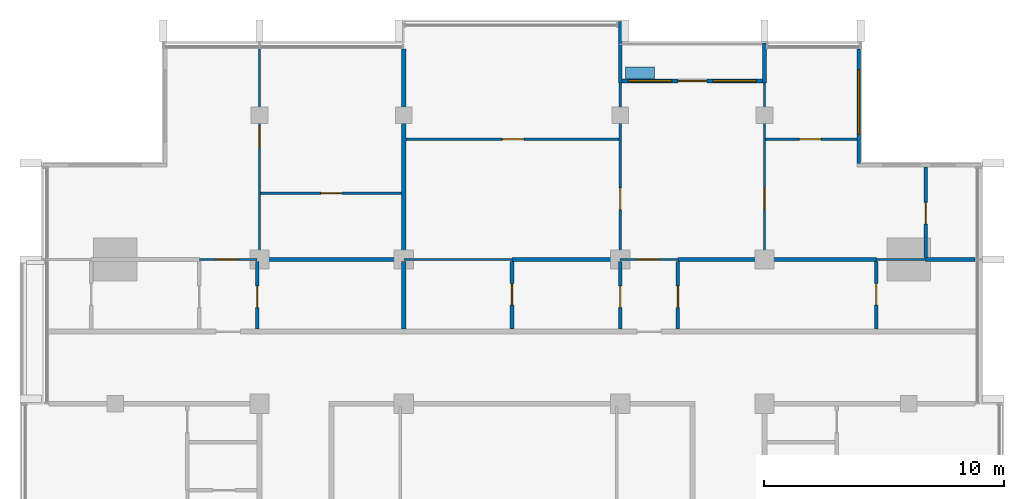
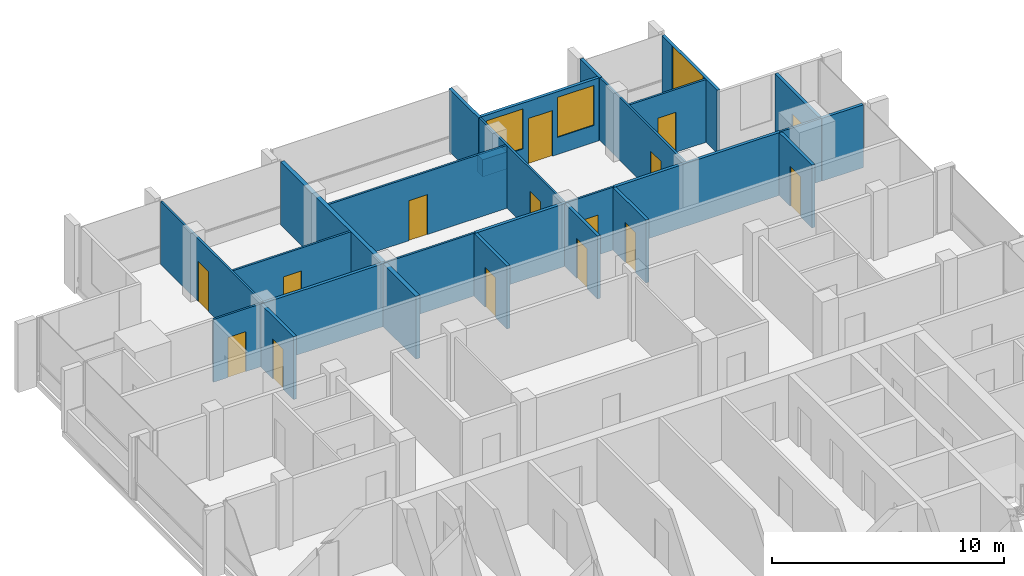
# One storey, part 10 of 16: 27 walls, 15 doors, 3 windows, 18 openings.
"""IFC4 building model written with IfcOpenShell, lengths in metres."""

from ifc_helpers import new_model, si_unit, direction, frame, frame_2d, origin, place, context, subcontext, project, spatial, rectangle, extrude, material, layer, layer_set, type_object, element, fill, save


model = new_model("IFC4")

# Units and contexts
model_context = context("Model", 3, precision=1e-05, world=origin(), true_north=direction((0.0, 1.0)))
body_context = subcontext(model_context, "Body", "Model", "MODEL_VIEW")
ifc_project = project(units=[si_unit("LENGTHUNIT", "METRE"), si_unit("AREAUNIT", "SQUARE_METRE"), si_unit("VOLUMEUNIT", "CUBIC_METRE"), si_unit("PLANEANGLEUNIT", "RADIAN"), si_unit("MASSUNIT", "GRAM", prefix="KILO")], contexts=[model_context])

# Site, building, storey
site_placement = place(None, origin())
site = spatial("IfcSite", under=ifc_project, at=site_placement, CompositionType="ELEMENT")
building_placement = place(site_placement, origin())
building = spatial("IfcBuilding", under=site, at=building_placement, Name="Finial Court Residences", CompositionType="ELEMENT")
storey_placement = place(building_placement, frame((0.0, 0.0, 284.300048828125)))
storey = spatial("IfcBuildingStorey", under=building, at=storey_placement, Name="L72", CompositionType="ELEMENT", Elevation=284.300048828125)

# Walls
ifc_material_1 = material(Name="Gypsum board")
ifc_layer_1 = layer(ifc_material_1, 0.02490234375)
ifc_material_2 = material(Name="Acoustic mineral wool in double frame")
ifc_layer_2 = layer(ifc_material_2, 0.14990234375)
ifc_layer_3 = layer(ifc_material_1, 0.02490234375)
ifc_layer_set_1 = layer_set([ifc_layer_1, ifc_layer_2, ifc_layer_3], Name="Acoustic party wall 200, 1 hour")
wall_type_1 = type_object("IfcWallType", Name="Acoustic party wall 200, 1 hour", PredefinedType="PARTITIONING", material=ifc_layer_set_1)
wall_1_placement = place(storey_placement, frame((-4.5, 4.60009765625, 0.0), z_axis=(0.0, 0.0, 1.0), x_axis=(0.0, 1.0, 0.0)))
element("IfcWall", 1, at=wall_1_placement, inside=storey, type_object=wall_type_1, Name="Partition L72-040", PredefinedType="PARTITIONING", context=body_context, shape_type="SweptSolid", body=[
    extrude(rectangle(XDim=2.824951171875, YDim=0.199951171875, at=frame_2d((1.41259765625, 0.0))), origin(), (0.0, 0.0, 1.0), 3.300048828125),
])
wall_2_placement = place(storey_placement, frame((-4.5, 7.574951171875, 0.0), z_axis=(0.0, 0.0, 1.0), x_axis=(0.0, 1.0, 0.0)))
element("IfcWall", 2, at=wall_2_placement, inside=storey, type_object=wall_type_1, Name="Partition L72-041", PredefinedType="PARTITIONING", context=body_context, shape_type="SweptSolid", body=[
    extrude(rectangle(XDim=8.6875, YDim=0.199951171875, at=frame_2d((4.34375, 0.0))), origin(), (0.0, 0.0, 1.0), 3.300048828125),
])

# Wall, opening, door
ifc_layer_4 = layer(ifc_material_1, 0.012451171875)
ifc_material_3 = material(Name="Mineral wool in light-gauge frame")
ifc_layer_5 = layer(ifc_material_3, 0.074951171875)
ifc_layer_6 = layer(ifc_material_1, 0.012451171875)
ifc_layer_set_2 = layer_set([ifc_layer_4, ifc_layer_5, ifc_layer_6], Name="Gypsum board partition 100")
wall_type_2 = type_object("IfcWallType", Name="Gypsum board partition 100", PredefinedType="PARTITIONING", material=ifc_layer_set_2)
wall_3_placement = place(storey_placement, frame((-13.0, 7.5, 0.0), z_axis=(0.0, 0.0, 1.0), x_axis=(1.0, 0.0, 0.0)))
wall_3 = element("IfcWall", 3, at=wall_3_placement, inside=storey, type_object=wall_type_2, Name="Partition L72-018", PredefinedType="PARTITIONING", context=body_context, shape_type="SweptSolid", body=[
    extrude(rectangle(XDim=2.39990234375, YDim=0.10009765625, at=frame_2d((1.199951171875, 0.0))), origin(), (0.0, 0.0, 1.0), 3.300048828125),
])
opening_1_placement = place(wall_3_placement, frame((0.699951171875, 0.0, 0.0)))
opening_1 = element("IfcOpeningElement", 4, at=opening_1_placement, cuts=wall_3, Name="Opening L72-D018", PredefinedType="OPENING", context=body_context, shape_type="SweptSolid", body=[
    extrude(rectangle(XDim=0.89990234375, YDim=2.10009765625, at=frame_2d((0.449951171875, 1.050048828125))), frame((0.0, 0.06005859375, 0.0), z_axis=(0.0, -1.0, 0.0), x_axis=(1.0, 0.0, 0.0)), (0.0, 0.0, 1.0), 0.1201171875),
])
ifc_material_4 = material(Name="Timber door leaf in timber frame", Category="wood")
door_type_1 = type_object("IfcDoorType", Name="Door set 900 x 2100", OperationType="SINGLE_SWING_LEFT", PredefinedType="DOOR", material=ifc_material_4)
door_1_placement = place(opening_1_placement, origin())
door_1 = element("IfcDoor", 5, at=door_1_placement, inside=storey, type_object=door_type_1, Name="Door L72-D018", OperationType="SINGLE_SWING_RIGHT", OverallHeight=2.10009765625, OverallWidth=0.89990234375, PredefinedType="DOOR", context=body_context, shape_type="SweptSolid", body=[
    extrude(rectangle(XDim=0.89990234375, YDim=2.10009765625, at=frame_2d((0.449951171875, 1.050048828125))), frame((0.0, 0.02490234375, 0.0), z_axis=(0.0, -1.0, 0.0), x_axis=(1.0, 0.0, 0.0)), (0.0, 0.0, 1.0), 0.050048828125),
])
fill(opening_1, door_1)

# Wall
wall_4_placement = place(storey_placement, frame((-4.5, 7.5, 0.0), z_axis=(0.0, 0.0, 1.0), x_axis=(1.0, 0.0, 0.0)))
element("IfcWall", 6, at=wall_4_placement, inside=storey, type_object=wall_type_2, Name="Partition L72-019", PredefinedType="PARTITIONING", context=body_context, shape_type="SweptSolid", body=[
    extrude(rectangle(XDim=4.5, YDim=0.10009765625, at=frame_2d((2.25, 0.0))), origin(), (0.0, 0.0, 1.0), 3.300048828125),
])

# Wall, opening, door
wall_5_placement = place(storey_placement, frame((4.5, 7.5, 0.0), z_axis=(0.0, 0.0, 1.0), x_axis=(1.0, 0.0, 0.0)))
wall_5 = element("IfcWall", 7, at=wall_5_placement, inside=storey, type_object=wall_type_2, Name="Partition L72-020", PredefinedType="PARTITIONING", context=body_context, shape_type="SweptSolid", body=[
    extrude(rectangle(XDim=2.39990234375, YDim=0.10009765625, at=frame_2d((1.199951171875, 0.0))), origin(), (0.0, 0.0, 1.0), 3.300048828125),
])
opening_2_placement = place(wall_5_placement, frame((0.699951171875, 0.0, 0.0)))
opening_2 = element("IfcOpeningElement", 8, at=opening_2_placement, cuts=wall_5, Name="Opening L72-D019", PredefinedType="OPENING", context=body_context, shape_type="SweptSolid", body=[
    extrude(rectangle(XDim=0.89990234375, YDim=2.10009765625, at=frame_2d((0.449951171875, 1.050048828125))), frame((0.0, 0.06005859375, 0.0), z_axis=(0.0, -1.0, 0.0), x_axis=(1.0, 0.0, 0.0)), (0.0, 0.0, 1.0), 0.1201171875),
])
door_2_placement = place(opening_2_placement, origin())
door_2 = element("IfcDoor", 9, at=door_2_placement, inside=storey, type_object=door_type_1, Name="Door L72-D019", OperationType="SINGLE_SWING_RIGHT", OverallHeight=2.10009765625, OverallWidth=0.89990234375, PredefinedType="DOOR", context=body_context, shape_type="SweptSolid", body=[
    extrude(rectangle(XDim=0.89990234375, YDim=2.10009765625, at=frame_2d((0.449951171875, 1.050048828125))), frame((0.0, 0.02490234375, 0.0), z_axis=(0.0, -1.0, 0.0), x_axis=(1.0, 0.0, 0.0)), (0.0, 0.0, 1.0), 0.050048828125),
])
fill(opening_2, door_2)

# Wall
wall_6_placement = place(storey_placement, frame((15.14990234375, 7.5, 0.0), z_axis=(0.0, 0.0, 1.0), x_axis=(1.0, 0.0, 0.0)))
element("IfcWall", 10, at=wall_6_placement, inside=storey, type_object=wall_type_2, Name="Partition L72-021", PredefinedType="PARTITIONING", context=body_context, shape_type="SweptSolid", body=[
    extrude(rectangle(XDim=2.050048828125, YDim=0.10009765625, at=frame_2d((1.02490234375, 0.0))), origin(), (0.0, 0.0, 1.0), 3.300048828125),
])

# Wall, opening, door
wall_7_placement = place(storey_placement, frame((-10.449951171875, 10.25, 0.0), z_axis=(0.0, 0.0, 1.0), x_axis=(1.0, 0.0, 0.0)))
wall_7 = element("IfcWall", 11, at=wall_7_placement, inside=storey, type_object=wall_type_2, Name="Partition L72-027", PredefinedType="PARTITIONING", context=body_context, shape_type="SweptSolid", body=[
    extrude(rectangle(XDim=5.849853515625, YDim=0.10009765625, at=frame_2d((2.9248046875, 0.0))), origin(), (0.0, 0.0, 1.0), 3.300048828125),
])
opening_3_placement = place(wall_7_placement, frame((2.5, 0.0, 0.0)))
opening_3 = element("IfcOpeningElement", 12, at=opening_3_placement, cuts=wall_7, Name="Opening L72-D020", PredefinedType="OPENING", context=body_context, shape_type="SweptSolid", body=[
    extrude(rectangle(XDim=0.89990234375, YDim=2.10009765625, at=frame_2d((0.449951171875, 1.050048828125))), frame((0.0, 0.06005859375, 0.0), z_axis=(0.0, -1.0, 0.0), x_axis=(1.0, 0.0, 0.0)), (0.0, 0.0, 1.0), 0.1201171875),
])
door_3_placement = place(opening_3_placement, origin())
door_3 = element("IfcDoor", 13, at=door_3_placement, inside=storey, type_object=door_type_1, Name="Door L72-D020", OperationType="SINGLE_SWING_RIGHT", OverallHeight=2.10009765625, OverallWidth=0.89990234375, PredefinedType="DOOR", context=body_context, shape_type="SweptSolid", body=[
    extrude(rectangle(XDim=0.89990234375, YDim=2.10009765625, at=frame_2d((0.449951171875, 1.050048828125))), frame((0.0, 0.02490234375, 0.0), z_axis=(0.0, -1.0, 0.0), x_axis=(1.0, 0.0, 0.0)), (0.0, 0.0, 1.0), 0.050048828125),
])
fill(opening_3, door_3)

wall_8_placement = place(storey_placement, frame((-4.39990234375, 12.5, 0.0), z_axis=(0.0, 0.0, 1.0), x_axis=(1.0, 0.0, 0.0)))
wall_8 = element("IfcWall", 14, at=wall_8_placement, inside=storey, type_object=wall_type_2, Name="Partition L72-028", PredefinedType="PARTITIONING", context=body_context, shape_type="SweptSolid", body=[
    extrude(rectangle(XDim=8.849853515625, YDim=0.10009765625, at=frame_2d((4.4248046875, 0.0))), origin(), (0.0, 0.0, 1.0), 3.300048828125),
])
opening_4_placement = place(wall_8_placement, frame((4.0, 0.0, 0.0)))
opening_4 = element("IfcOpeningElement", 15, at=opening_4_placement, cuts=wall_8, Name="Opening L72-D021", PredefinedType="OPENING", context=body_context, shape_type="SweptSolid", body=[
    extrude(rectangle(XDim=0.89990234375, YDim=2.10009765625, at=frame_2d((0.449951171875, 1.050048828125))), frame((0.0, 0.06005859375, 0.0), z_axis=(0.0, -1.0, 0.0), x_axis=(1.0, 0.0, 0.0)), (0.0, 0.0, 1.0), 0.1201171875),
])
door_4_placement = place(opening_4_placement, origin())
door_4 = element("IfcDoor", 16, at=door_4_placement, inside=storey, type_object=door_type_1, Name="Door L72-D021", OperationType="SINGLE_SWING_LEFT", OverallHeight=2.10009765625, OverallWidth=0.89990234375, PredefinedType="DOOR", context=body_context, shape_type="SweptSolid", body=[
    extrude(rectangle(XDim=0.89990234375, YDim=2.10009765625, at=frame_2d((0.449951171875, 1.050048828125))), frame((0.0, 0.02490234375, 0.0), z_axis=(0.0, -1.0, 0.0), x_axis=(1.0, 0.0, 0.0)), (0.0, 0.0, 1.0), 0.050048828125),
])
fill(opening_4, door_4)

wall_9_placement = place(storey_placement, frame((10.550048828125, 12.5, 0.0), z_axis=(0.0, 0.0, 1.0), x_axis=(1.0, 0.0, 0.0)))
wall_9 = element("IfcWall", 17, at=wall_9_placement, inside=storey, type_object=wall_type_2, Name="Partition L72-029", PredefinedType="PARTITIONING", context=body_context, shape_type="SweptSolid", body=[
    extrude(rectangle(XDim=3.800048828125, YDim=0.10009765625, at=frame_2d((1.89990234375, 0.0))), origin(), (0.0, 0.0, 1.0), 3.300048828125),
])
opening_5_placement = place(wall_9_placement, frame((1.39990234375, 0.0, 0.0)))
opening_5 = element("IfcOpeningElement", 18, at=opening_5_placement, cuts=wall_9, Name="Opening L72-D022", PredefinedType="OPENING", context=body_context, shape_type="SweptSolid", body=[
    extrude(rectangle(XDim=0.89990234375, YDim=2.10009765625, at=frame_2d((0.449951171875, 1.050048828125))), frame((0.0, 0.06005859375, 0.0), z_axis=(0.0, -1.0, 0.0), x_axis=(1.0, 0.0, 0.0)), (0.0, 0.0, 1.0), 0.1201171875),
])
door_5_placement = place(opening_5_placement, origin())
door_5 = element("IfcDoor", 19, at=door_5_placement, inside=storey, type_object=door_type_1, Name="Door L72-D022", OperationType="SINGLE_SWING_LEFT", OverallHeight=2.10009765625, OverallWidth=0.89990234375, PredefinedType="DOOR", context=body_context, shape_type="SweptSolid", body=[
    extrude(rectangle(XDim=0.89990234375, YDim=2.10009765625, at=frame_2d((0.449951171875, 1.050048828125))), frame((0.0, 0.02490234375, 0.0), z_axis=(0.0, -1.0, 0.0), x_axis=(1.0, 0.0, 0.0)), (0.0, 0.0, 1.0), 0.050048828125),
])
fill(opening_5, door_5)

wall_10_placement = place(storey_placement, frame((-10.5, 7.574951171875, 0.0), z_axis=(0.0, 0.0, 1.0), x_axis=(0.0, 1.0, 0.0)))
wall_10 = element("IfcWall", 20, at=wall_10_placement, inside=storey, type_object=wall_type_2, Name="Partition L72-037", PredefinedType="PARTITIONING", context=body_context, shape_type="SweptSolid", body=[
    extrude(rectangle(XDim=8.6875, YDim=0.10009765625, at=frame_2d((4.34375, 0.0))), origin(), (0.0, 0.0, 1.0), 3.300048828125),
])
opening_6_placement = place(wall_10_placement, frame((4.574951171875, 0.0, 0.0)))
opening_6 = element("IfcOpeningElement", 21, at=opening_6_placement, cuts=wall_10, Name="Opening L72-D028", PredefinedType="OPENING", context=body_context, shape_type="SweptSolid", body=[
    extrude(rectangle(XDim=0.89990234375, YDim=2.10009765625, at=frame_2d((0.449951171875, 1.050048828125))), frame((0.0, 0.06005859375, 0.0), z_axis=(0.0, -1.0, 0.0), x_axis=(1.0, 0.0, 0.0)), (0.0, 0.0, 1.0), 0.1201171875),
])
door_6_placement = place(opening_6_placement, origin())
door_6 = element("IfcDoor", 22, at=door_6_placement, inside=storey, type_object=door_type_1, Name="Door L72-D028", OperationType="SINGLE_SWING_RIGHT", OverallHeight=2.10009765625, OverallWidth=0.89990234375, PredefinedType="DOOR", context=body_context, shape_type="SweptSolid", body=[
    extrude(rectangle(XDim=0.89990234375, YDim=2.10009765625, at=frame_2d((0.449951171875, 1.050048828125))), frame((0.0, 0.02490234375, 0.0), z_axis=(0.0, -1.0, 0.0), x_axis=(1.0, 0.0, 0.0)), (0.0, 0.0, 1.0), 0.050048828125),
])
fill(opening_6, door_6)

wall_11_placement = place(storey_placement, frame((4.5, 7.574951171875, 0.0), z_axis=(0.0, 0.0, 1.0), x_axis=(0.0, 1.0, 0.0)))
wall_11 = element("IfcWall", 23, at=wall_11_placement, inside=storey, type_object=wall_type_2, Name="Partition L72-044", PredefinedType="PARTITIONING", context=body_context, shape_type="SweptSolid", body=[
    extrude(rectangle(XDim=7.275146484375, YDim=0.10009765625, at=frame_2d((3.6376953125, 0.0))), origin(), (0.0, 0.0, 1.0), 3.300048828125),
])
opening_7_placement = place(wall_11_placement, frame((2.0, 0.0, 0.0)))
opening_7 = element("IfcOpeningElement", 24, at=opening_7_placement, cuts=wall_11, Name="Opening L72-D030", PredefinedType="OPENING", context=body_context, shape_type="SweptSolid", body=[
    extrude(rectangle(XDim=0.89990234375, YDim=2.10009765625, at=frame_2d((0.449951171875, 1.050048828125))), frame((0.0, 0.06005859375, 0.0), z_axis=(0.0, -1.0, 0.0), x_axis=(1.0, 0.0, 0.0)), (0.0, 0.0, 1.0), 0.1201171875),
])
door_7_placement = place(opening_7_placement, origin())
door_7 = element("IfcDoor", 25, at=door_7_placement, inside=storey, type_object=door_type_1, Name="Door L72-D030", OperationType="SINGLE_SWING_RIGHT", OverallHeight=2.10009765625, OverallWidth=0.89990234375, PredefinedType="DOOR", context=body_context, shape_type="SweptSolid", body=[
    extrude(rectangle(XDim=0.89990234375, YDim=2.10009765625, at=frame_2d((0.449951171875, 1.050048828125))), frame((0.0, 0.02490234375, 0.0), z_axis=(0.0, -1.0, 0.0), x_axis=(1.0, 0.0, 0.0)), (0.0, 0.0, 1.0), 0.050048828125),
])
fill(opening_7, door_7)

wall_12_placement = place(storey_placement, frame((10.5, 7.574951171875, 0.0), z_axis=(0.0, 0.0, 1.0), x_axis=(0.0, 1.0, 0.0)))
wall_12 = element("IfcWall", 26, at=wall_12_placement, inside=storey, type_object=wall_type_2, Name="Partition L72-049", PredefinedType="PARTITIONING", context=body_context, shape_type="SweptSolid", body=[
    extrude(rectangle(XDim=7.275146484375, YDim=0.10009765625, at=frame_2d((3.6376953125, 0.0))), origin(), (0.0, 0.0, 1.0), 3.300048828125),
])
opening_8_placement = place(wall_12_placement, frame((2.0, 0.0, 0.0)))
opening_8 = element("IfcOpeningElement", 27, at=opening_8_placement, cuts=wall_12, Name="Opening L72-D033", PredefinedType="OPENING", context=body_context, shape_type="SweptSolid", body=[
    extrude(rectangle(XDim=0.89990234375, YDim=2.10009765625, at=frame_2d((0.449951171875, 1.050048828125))), frame((0.0, 0.06005859375, 0.0), z_axis=(0.0, -1.0, 0.0), x_axis=(1.0, 0.0, 0.0)), (0.0, 0.0, 1.0), 0.1201171875),
])
door_8_placement = place(opening_8_placement, origin())
door_8 = element("IfcDoor", 28, at=door_8_placement, inside=storey, type_object=door_type_1, Name="Door L72-D033", OperationType="SINGLE_SWING_LEFT", OverallHeight=2.10009765625, OverallWidth=0.89990234375, PredefinedType="DOOR", context=body_context, shape_type="SweptSolid", body=[
    extrude(rectangle(XDim=0.89990234375, YDim=2.10009765625, at=frame_2d((0.449951171875, 1.050048828125))), frame((0.0, 0.02490234375, 0.0), z_axis=(0.0, -1.0, 0.0), x_axis=(1.0, 0.0, 0.0)), (0.0, 0.0, 1.0), 0.050048828125),
])
fill(opening_8, door_8)

# Walls
ifc_material_5 = material(Name="Moisture-resistant gypsum board")
ifc_layer_7 = layer(ifc_material_5, 0.012451171875)
ifc_layer_8 = layer(ifc_material_3, 0.125)
ifc_layer_9 = layer(ifc_material_5, 0.012451171875)
ifc_layer_set_3 = layer_set([ifc_layer_7, ifc_layer_8, ifc_layer_9], Name="Gypsum board wet-area partition 150")
wall_type_3 = type_object("IfcWallType", Name="Gypsum board wet-area partition 150", PredefinedType="PARTITIONING", material=ifc_layer_set_3)
wall_13_placement = place(storey_placement, frame((-10.5, 7.5, 0.0), z_axis=(0.0, 0.0, 1.0), x_axis=(1.0, 0.0, 0.0)))
element("IfcWall", 29, at=wall_13_placement, inside=storey, type_object=wall_type_3, Name="Partition L72-023", PredefinedType="PARTITIONING", context=body_context, shape_type="SweptSolid", body=[
    extrude(rectangle(XDim=6.0, YDim=0.14990234375, at=frame_2d((3.0, 0.0))), origin(), (0.0, 0.0, 1.0), 3.300048828125),
])
wall_14_placement = place(storey_placement, frame((0.0, 7.5, 0.0), z_axis=(0.0, 0.0, 1.0), x_axis=(1.0, 0.0, 0.0)))
element("IfcWall", 30, at=wall_14_placement, inside=storey, type_object=wall_type_3, Name="Partition L72-024", PredefinedType="PARTITIONING", context=body_context, shape_type="SweptSolid", body=[
    extrude(rectangle(XDim=4.5, YDim=0.14990234375, at=frame_2d((2.25, 0.0))), origin(), (0.0, 0.0, 1.0), 3.300048828125),
])
wall_15_placement = place(storey_placement, frame((6.89990234375, 7.5, 0.0), z_axis=(0.0, 0.0, 1.0), x_axis=(1.0, 0.0, 0.0)))
element("IfcWall", 31, at=wall_15_placement, inside=storey, type_object=wall_type_3, Name="Partition L72-025", PredefinedType="PARTITIONING", context=body_context, shape_type="SweptSolid", body=[
    extrude(rectangle(XDim=8.25, YDim=0.14990234375, at=frame_2d((4.125, 0.0))), origin(), (0.0, 0.0, 1.0), 3.300048828125),
])
wall_16_placement = place(storey_placement, frame((17.199951171875, 7.5, 0.0), z_axis=(0.0, 0.0, 1.0), x_axis=(1.0, 0.0, 0.0)))
element("IfcWall", 32, at=wall_16_placement, inside=storey, type_object=wall_type_3, Name="Partition L72-026", PredefinedType="PARTITIONING", context=body_context, shape_type="SweptSolid", body=[
    extrude(rectangle(XDim=2.0625, YDim=0.14990234375, at=frame_2d((1.03125, 0.0))), origin(), (0.0, 0.0, 1.0), 3.300048828125),
])

# Wall, opening, door
wall_17_placement = place(storey_placement, frame((-10.60009765625, 4.60009765625, 0.0), z_axis=(0.0, 0.0, 1.0), x_axis=(0.0, 1.0, 0.0)))
wall_17 = element("IfcWall", 33, at=wall_17_placement, inside=storey, type_object=wall_type_3, Name="Partition L72-035", PredefinedType="PARTITIONING", context=body_context, shape_type="SweptSolid", body=[
    extrude(rectangle(XDim=2.824951171875, YDim=0.14990234375, at=frame_2d((1.41259765625, 0.0))), origin(), (0.0, 0.0, 1.0), 3.300048828125),
])
opening_9_placement = place(wall_17_placement, frame((0.89990234375, 0.0, 0.0)))
opening_9 = element("IfcOpeningElement", 34, at=opening_9_placement, cuts=wall_17, Name="Opening L72-D027", PredefinedType="OPENING", context=body_context, shape_type="SweptSolid", body=[
    extrude(rectangle(XDim=0.89990234375, YDim=2.10009765625, at=frame_2d((0.449951171875, 1.050048828125))), frame((0.0, 0.0849609375, 0.0), z_axis=(0.0, -1.0, 0.0), x_axis=(1.0, 0.0, 0.0)), (0.0, 0.0, 1.0), 0.169921875),
])
door_9_placement = place(opening_9_placement, origin())
door_9 = element("IfcDoor", 35, at=door_9_placement, inside=storey, type_object=door_type_1, Name="Door L72-D027", OperationType="SINGLE_SWING_LEFT", OverallHeight=2.10009765625, OverallWidth=0.89990234375, PredefinedType="DOOR", context=body_context, shape_type="SweptSolid", body=[
    extrude(rectangle(XDim=0.89990234375, YDim=2.10009765625, at=frame_2d((0.449951171875, 1.050048828125))), frame((0.0, 0.02490234375, 0.0), z_axis=(0.0, -1.0, 0.0), x_axis=(1.0, 0.0, 0.0)), (0.0, 0.0, 1.0), 0.050048828125),
])
fill(opening_9, door_9)

wall_18_placement = place(storey_placement, frame((0.0, 4.60009765625, 0.0), z_axis=(0.0, 0.0, 1.0), x_axis=(0.0, 1.0, 0.0)))
wall_18 = element("IfcWall", 36, at=wall_18_placement, inside=storey, type_object=wall_type_3, Name="Partition L72-042", PredefinedType="PARTITIONING", context=body_context, shape_type="SweptSolid", body=[
    extrude(rectangle(XDim=2.824951171875, YDim=0.14990234375, at=frame_2d((1.41259765625, 0.0))), origin(), (0.0, 0.0, 1.0), 3.300048828125),
])
opening_10_placement = place(wall_18_placement, frame((1.0, 0.0, 0.0)))
opening_10 = element("IfcOpeningElement", 37, at=opening_10_placement, cuts=wall_18, Name="Opening L72-D029", PredefinedType="OPENING", context=body_context, shape_type="SweptSolid", body=[
    extrude(rectangle(XDim=0.89990234375, YDim=2.10009765625, at=frame_2d((0.449951171875, 1.050048828125))), frame((0.0, 0.0849609375, 0.0), z_axis=(0.0, -1.0, 0.0), x_axis=(1.0, 0.0, 0.0)), (0.0, 0.0, 1.0), 0.169921875),
])
door_10_placement = place(opening_10_placement, origin())
door_10 = element("IfcDoor", 38, at=door_10_placement, inside=storey, type_object=door_type_1, Name="Door L72-D029", OperationType="SINGLE_SWING_LEFT", OverallHeight=2.10009765625, OverallWidth=0.89990234375, PredefinedType="DOOR", context=body_context, shape_type="SweptSolid", body=[
    extrude(rectangle(XDim=0.89990234375, YDim=2.10009765625, at=frame_2d((0.449951171875, 1.050048828125))), frame((0.0, 0.02490234375, 0.0), z_axis=(0.0, -1.0, 0.0), x_axis=(1.0, 0.0, 0.0)), (0.0, 0.0, 1.0), 0.050048828125),
])
fill(opening_10, door_10)

wall_19_placement = place(storey_placement, frame((4.5, 4.60009765625, 0.0), z_axis=(0.0, 0.0, 1.0), x_axis=(0.0, 1.0, 0.0)))
wall_19 = element("IfcWall", 39, at=wall_19_placement, inside=storey, type_object=wall_type_3, Name="Partition L72-045", PredefinedType="PARTITIONING", context=body_context, shape_type="SweptSolid", body=[
    extrude(rectangle(XDim=2.824951171875, YDim=0.14990234375, at=frame_2d((1.41259765625, 0.0))), origin(), (0.0, 0.0, 1.0), 3.300048828125),
])
opening_11_placement = place(wall_19_placement, frame((0.89990234375, 0.0, 0.0)))
opening_11 = element("IfcOpeningElement", 40, at=opening_11_placement, cuts=wall_19, Name="Opening L72-D031", PredefinedType="OPENING", context=body_context, shape_type="SweptSolid", body=[
    extrude(rectangle(XDim=0.89990234375, YDim=2.10009765625, at=frame_2d((0.449951171875, 1.050048828125))), frame((0.0, 0.0849609375, 0.0), z_axis=(0.0, -1.0, 0.0), x_axis=(1.0, 0.0, 0.0)), (0.0, 0.0, 1.0), 0.169921875),
])
door_11_placement = place(opening_11_placement, origin())
door_11 = element("IfcDoor", 41, at=door_11_placement, inside=storey, type_object=door_type_1, Name="Door L72-D031", OperationType="SINGLE_SWING_RIGHT", OverallHeight=2.10009765625, OverallWidth=0.89990234375, PredefinedType="DOOR", context=body_context, shape_type="SweptSolid", body=[
    extrude(rectangle(XDim=0.89990234375, YDim=2.10009765625, at=frame_2d((0.449951171875, 1.050048828125))), frame((0.0, 0.02490234375, 0.0), z_axis=(0.0, -1.0, 0.0), x_axis=(1.0, 0.0, 0.0)), (0.0, 0.0, 1.0), 0.050048828125),
])
fill(opening_11, door_11)

wall_20_placement = place(storey_placement, frame((6.89990234375, 4.60009765625, 0.0), z_axis=(0.0, 0.0, 1.0), x_axis=(0.0, 1.0, 0.0)))
wall_20 = element("IfcWall", 42, at=wall_20_placement, inside=storey, type_object=wall_type_3, Name="Partition L72-046", PredefinedType="PARTITIONING", context=body_context, shape_type="SweptSolid", body=[
    extrude(rectangle(XDim=2.824951171875, YDim=0.14990234375, at=frame_2d((1.41259765625, 0.0))), origin(), (0.0, 0.0, 1.0), 3.300048828125),
])
opening_12_placement = place(wall_20_placement, frame((0.89990234375, 0.0, 0.0)))
opening_12 = element("IfcOpeningElement", 43, at=opening_12_placement, cuts=wall_20, Name="Opening L72-D032", PredefinedType="OPENING", context=body_context, shape_type="SweptSolid", body=[
    extrude(rectangle(XDim=0.89990234375, YDim=2.10009765625, at=frame_2d((0.449951171875, 1.050048828125))), frame((0.0, 0.0849609375, 0.0), z_axis=(0.0, -1.0, 0.0), x_axis=(1.0, 0.0, 0.0)), (0.0, 0.0, 1.0), 0.169921875),
])
door_12_placement = place(opening_12_placement, origin())
door_12 = element("IfcDoor", 44, at=door_12_placement, inside=storey, type_object=door_type_1, Name="Door L72-D032", OperationType="SINGLE_SWING_LEFT", OverallHeight=2.10009765625, OverallWidth=0.89990234375, PredefinedType="DOOR", context=body_context, shape_type="SweptSolid", body=[
    extrude(rectangle(XDim=0.89990234375, YDim=2.10009765625, at=frame_2d((0.449951171875, 1.050048828125))), frame((0.0, 0.02490234375, 0.0), z_axis=(0.0, -1.0, 0.0), x_axis=(1.0, 0.0, 0.0)), (0.0, 0.0, 1.0), 0.050048828125),
])
fill(opening_12, door_12)

wall_21_placement = place(storey_placement, frame((15.14990234375, 4.60009765625, 0.0), z_axis=(0.0, 0.0, 1.0), x_axis=(0.0, 1.0, 0.0)))
wall_21 = element("IfcWall", 45, at=wall_21_placement, inside=storey, type_object=wall_type_3, Name="Partition L72-052", PredefinedType="PARTITIONING", context=body_context, shape_type="SweptSolid", body=[
    extrude(rectangle(XDim=2.824951171875, YDim=0.14990234375, at=frame_2d((1.41259765625, 0.0))), origin(), (0.0, 0.0, 1.0), 3.300048828125),
])
opening_13_placement = place(wall_21_placement, frame((1.0, 0.0, 0.0)))
opening_13 = element("IfcOpeningElement", 46, at=opening_13_placement, cuts=wall_21, Name="Opening L72-D036", PredefinedType="OPENING", context=body_context, shape_type="SweptSolid", body=[
    extrude(rectangle(XDim=0.89990234375, YDim=2.10009765625, at=frame_2d((0.449951171875, 1.050048828125))), frame((0.0, 0.0849609375, 0.0), z_axis=(0.0, -1.0, 0.0), x_axis=(1.0, 0.0, 0.0)), (0.0, 0.0, 1.0), 0.169921875),
])
door_13_placement = place(opening_13_placement, origin())
door_13 = element("IfcDoor", 47, at=door_13_placement, inside=storey, type_object=door_type_1, Name="Door L72-D036", OperationType="SINGLE_SWING_RIGHT", OverallHeight=2.10009765625, OverallWidth=0.89990234375, PredefinedType="DOOR", context=body_context, shape_type="SweptSolid", body=[
    extrude(rectangle(XDim=0.89990234375, YDim=2.10009765625, at=frame_2d((0.449951171875, 1.050048828125))), frame((0.0, 0.02490234375, 0.0), z_axis=(0.0, -1.0, 0.0), x_axis=(1.0, 0.0, 0.0)), (0.0, 0.0, 1.0), 0.050048828125),
])
fill(opening_13, door_13)

wall_22_placement = place(storey_placement, frame((17.199951171875, 7.574951171875, 0.0), z_axis=(0.0, 0.0, 1.0), x_axis=(0.0, 1.0, 0.0)))
wall_22 = element("IfcWall", 48, at=wall_22_placement, inside=storey, type_object=wall_type_3, Name="Partition L72-054", PredefinedType="PARTITIONING", context=body_context, shape_type="SweptSolid", body=[
    extrude(rectangle(XDim=3.775146484375, YDim=0.14990234375, at=frame_2d((1.8876953125, 0.0))), origin(), (0.0, 0.0, 1.0), 3.300048828125),
])
opening_14_placement = place(wall_22_placement, frame((1.39990234375, 0.0, 0.0)))
opening_14 = element("IfcOpeningElement", 49, at=opening_14_placement, cuts=wall_22, Name="Opening L72-D037", PredefinedType="OPENING", context=body_context, shape_type="SweptSolid", body=[
    extrude(rectangle(XDim=0.89990234375, YDim=2.10009765625, at=frame_2d((0.449951171875, 1.050048828125))), frame((0.0, 0.0849609375, 0.0), z_axis=(0.0, -1.0, 0.0), x_axis=(1.0, 0.0, 0.0)), (0.0, 0.0, 1.0), 0.169921875),
])
door_14_placement = place(opening_14_placement, origin())
door_14 = element("IfcDoor", 50, at=door_14_placement, inside=storey, type_object=door_type_1, Name="Door L72-D037", OperationType="SINGLE_SWING_RIGHT", OverallHeight=2.10009765625, OverallWidth=0.89990234375, PredefinedType="DOOR", context=body_context, shape_type="SweptSolid", body=[
    extrude(rectangle(XDim=0.89990234375, YDim=2.10009765625, at=frame_2d((0.449951171875, 1.050048828125))), frame((0.0, 0.02490234375, 0.0), z_axis=(0.0, -1.0, 0.0), x_axis=(1.0, 0.0, 0.0)), (0.0, 0.0, 1.0), 0.050048828125),
])
fill(opening_14, door_14)

# Wall, opening, window
ifc_material_6 = material(Name="Natural limestone", Category="masonry")
ifc_layer_10 = layer(ifc_material_6, 0.14990234375)
ifc_layer_set_4 = layer_set([ifc_layer_10], Name="Limestone clad wall 150")
wall_type_4 = type_object("IfcWallType", Name="Limestone clad wall 150", PredefinedType="SOLIDWALL", material=ifc_layer_set_4)
wall_23_placement = place(storey_placement, frame((14.425048828125, 16.262451171875, 0.0), z_axis=(0.0, 0.0, 1.0), x_axis=(0.0, -1.0, 0.0)))
wall_23 = element("IfcWall", 51, at=wall_23_placement, inside=storey, type_object=wall_type_4, Name="E-L72-NWE18", PredefinedType="SOLIDWALL", context=body_context, shape_type="SweptSolid", body=[
    extrude(rectangle(XDim=4.762451171875, YDim=0.14990234375, at=frame_2d((2.38134765625, 0.0))), origin(), (0.0, 0.0, 1.0), 3.300048828125),
])
opening_15_placement = place(wall_23_placement, frame((0.88134765625, 0.0, 0.89990234375)))
opening_15 = element("IfcOpeningElement", 52, at=opening_15_placement, cuts=wall_23, Name="Opening WE72-07", PredefinedType="OPENING", context=body_context, shape_type="SweptSolid", body=[
    extrude(rectangle(XDim=2.680908203125, YDim=2.39990234375, at=frame_2d((1.34033203125, 1.199951171875))), frame((0.0, 0.0849609375, 0.0), z_axis=(0.0, -1.0, 0.0), x_axis=(1.0, 0.0, 0.0)), (0.0, 0.0, 1.0), 0.169921875),
])
ifc_material_7 = material(Name="Clear low-e glass", Category="glass")
window_type_1 = type_object("IfcWindowType", Name="Corner window 2681 x 2400", PartitioningType="SINGLE_PANEL", PredefinedType="WINDOW", material=ifc_material_7)
window_1_placement = place(opening_15_placement, origin())
window_1 = element("IfcWindow", 53, at=window_1_placement, inside=storey, type_object=window_type_1, Name="E-L72-NWE18-W1", OverallHeight=2.39990234375, OverallWidth=2.680908203125, PartitioningType="SINGLE_PANEL", PredefinedType="WINDOW", context=body_context, shape_type="SweptSolid", body=[
    extrude(rectangle(XDim=2.680908203125, YDim=2.39990234375, at=frame_2d((1.34033203125, 1.199951171875))), frame((0.0, 0.030029296875, 0.0), z_axis=(0.0, -1.0, 0.0), x_axis=(1.0, 0.0, 0.0)), (0.0, 0.0, 1.0), 0.06005859375),
])
fill(opening_15, window_1)

# Walls
wall_24_placement = place(storey_placement, frame((4.5, 14.85009765625, 0.0), z_axis=(0.0, 0.0, 1.0), x_axis=(0.0, 1.0, 0.0)))
element("IfcWall", 54, at=wall_24_placement, inside=storey, type_object=wall_type_4, Name="E-L72-BALN4-P1", PredefinedType="SOLIDWALL", context=body_context, shape_type="SweptSolid", body=[
    extrude(rectangle(XDim=2.5498046875, YDim=0.14990234375, at=frame_2d((1.27490234375, 0.0))), origin(), (0.0, 0.0, 1.0), 3.300048828125),
])
wall_25_placement = place(storey_placement, frame((10.5, 14.85009765625, 0.0), z_axis=(0.0, 0.0, 1.0), x_axis=(0.0, 1.0, 0.0)))
element("IfcWall", 55, at=wall_25_placement, inside=storey, type_object=wall_type_4, Name="E-L72-BALN4-P2", PredefinedType="SOLIDWALL", context=body_context, shape_type="SweptSolid", body=[
    extrude(rectangle(XDim=1.64990234375, YDim=0.14990234375, at=frame_2d((0.824951171875, 0.0))), origin(), (0.0, 0.0, 1.0), 3.300048828125),
])

# Wall, openings, door, windows
wall_26_placement = place(storey_placement, frame((4.574951171875, 14.925048828125, 0.0), z_axis=(0.0, 0.0, 1.0), x_axis=(1.0, 0.0, 0.0)))
wall_26 = element("IfcWall", 56, at=wall_26_placement, inside=storey, type_object=wall_type_4, Name="E-L72-L72-BALN4-W", PredefinedType="SOLIDWALL", context=body_context, shape_type="SweptSolid", body=[
    extrude(rectangle(XDim=5.85009765625, YDim=0.14990234375, at=frame_2d((2.925048828125, 0.0))), origin(), (0.0, 0.0, 1.0), 3.300048828125),
])
opening_16_placement = place(wall_26_placement, frame((2.324951171875, 0.0, 0.0)))
opening_16 = element("IfcOpeningElement", 57, at=opening_16_placement, cuts=wall_26, Name="Opening DE72-01", PredefinedType="OPENING", context=body_context, shape_type="SweptSolid", body=[
    extrude(rectangle(XDim=1.199951171875, YDim=2.39990234375, at=frame_2d((0.60009765625, 1.199951171875))), frame((0.0, 0.0849609375, 0.0), z_axis=(0.0, -1.0, 0.0), x_axis=(1.0, 0.0, 0.0)), (0.0, 0.0, 1.0), 0.169921875),
])
opening_17_placement = place(wall_26_placement, frame((0.262451171875, 0.0, 0.89990234375)))
opening_17 = element("IfcOpeningElement", 58, at=opening_17_placement, cuts=wall_26, Name="Opening WE72-10", PredefinedType="OPENING", context=body_context, shape_type="SweptSolid", body=[
    extrude(rectangle(XDim=1.800048828125, YDim=2.10009765625, at=frame_2d((0.89990234375, 1.050048828125))), frame((0.0, 0.0849609375, 0.0), z_axis=(0.0, -1.0, 0.0), x_axis=(1.0, 0.0, 0.0)), (0.0, 0.0, 1.0), 0.169921875),
])
opening_18_placement = place(wall_26_placement, frame((3.78759765625, 0.0, 0.89990234375)))
opening_18 = element("IfcOpeningElement", 59, at=opening_18_placement, cuts=wall_26, Name="Opening WE72-11", PredefinedType="OPENING", context=body_context, shape_type="SweptSolid", body=[
    extrude(rectangle(XDim=1.800048828125, YDim=2.10009765625, at=frame_2d((0.89990234375, 1.050048828125))), frame((0.0, 0.0849609375, 0.0), z_axis=(0.0, -1.0, 0.0), x_axis=(1.0, 0.0, 0.0)), (0.0, 0.0, 1.0), 0.169921875),
])
ifc_material_8 = material(Name="Bronze anodised aluminium", Category="aluminium")
door_type_2 = type_object("IfcDoorType", Name="Balcony door 1200 x 2400", OperationType="SINGLE_SWING_LEFT", PredefinedType="DOOR", material=ifc_material_8)
door_15_placement = place(opening_16_placement, origin())
door_15 = element("IfcDoor", 60, at=door_15_placement, inside=storey, type_object=door_type_2, Name="E-L72-L72-BALN4-W-D", OperationType="SINGLE_SWING_RIGHT", OverallHeight=2.39990234375, OverallWidth=1.199951171875, PredefinedType="DOOR", context=body_context, shape_type="SweptSolid", body=[
    extrude(rectangle(XDim=1.199951171875, YDim=2.39990234375, at=frame_2d((0.60009765625, 1.199951171875))), frame((0.0, 0.02490234375, 0.0), z_axis=(0.0, -1.0, 0.0), x_axis=(1.0, 0.0, 0.0)), (0.0, 0.0, 1.0), 0.050048828125),
])
fill(opening_16, door_15)
window_type_2 = type_object("IfcWindowType", Name="Balcony window 1800 x 2100", PartitioningType="SINGLE_PANEL", PredefinedType="WINDOW", material=ifc_material_7)
window_2_placement = place(opening_17_placement, origin())
window_2 = element("IfcWindow", 61, at=window_2_placement, inside=storey, type_object=window_type_2, Name="E-L72-L72-BALN4-W-W1", OverallHeight=2.10009765625, OverallWidth=1.800048828125, PartitioningType="SINGLE_PANEL", PredefinedType="WINDOW", context=body_context, shape_type="SweptSolid", body=[
    extrude(rectangle(XDim=1.800048828125, YDim=2.10009765625, at=frame_2d((0.89990234375, 1.050048828125))), frame((0.0, 0.030029296875, 0.0), z_axis=(0.0, -1.0, 0.0), x_axis=(1.0, 0.0, 0.0)), (0.0, 0.0, 1.0), 0.06005859375),
])
fill(opening_17, window_2)
window_3_placement = place(opening_18_placement, origin())
window_3 = element("IfcWindow", 62, at=window_3_placement, inside=storey, type_object=window_type_2, Name="E-L72-L72-BALN4-W-W2", OverallHeight=2.10009765625, OverallWidth=1.800048828125, PartitioningType="SINGLE_PANEL", PredefinedType="WINDOW", context=body_context, shape_type="SweptSolid", body=[
    extrude(rectangle(XDim=1.800048828125, YDim=2.10009765625, at=frame_2d((0.89990234375, 1.050048828125))), frame((0.0, 0.030029296875, 0.0), z_axis=(0.0, -1.0, 0.0), x_axis=(1.0, 0.0, 0.0)), (0.0, 0.0, 1.0), 0.06005859375),
])
fill(opening_18, window_3)

# Wall
ifc_material_9 = material(Name="Concrete C40/50", Category="concrete")
ifc_layer_11 = layer(ifc_material_9, 0.10009765625)
ifc_material_10 = material(Name="Planting soil", Category="soil")
ifc_layer_12 = layer(ifc_material_10, 0.300048828125)
ifc_layer_13 = layer(ifc_material_9, 0.10009765625)
ifc_layer_set_5 = layer_set([ifc_layer_11, ifc_layer_12, ifc_layer_13], Name="Planter wall, balcony")
wall_type_5 = type_object("IfcWallType", Name="Planter wall, balcony", PredefinedType="USERDEFINED", material=ifc_layer_set_5)
wall_27_placement = place(storey_placement, frame((4.72509765625, 15.25, 0.0), z_axis=(0.0, 0.0, 1.0), x_axis=(1.0, 0.0, 0.0)))
element("IfcWall", 63, at=wall_27_placement, inside=storey, type_object=wall_type_5, Name="E-L72-BALN4-PL", ObjectType="PLANTER", PredefinedType="USERDEFINED", context=body_context, shape_type="SweptSolid", body=[
    extrude(rectangle(XDim=1.199951171875, YDim=0.5, at=frame_2d((0.60009765625, 0.0))), origin(), (0.0, 0.0, 1.0), 0.89990234375),
])

save(model, "model.ifc")
